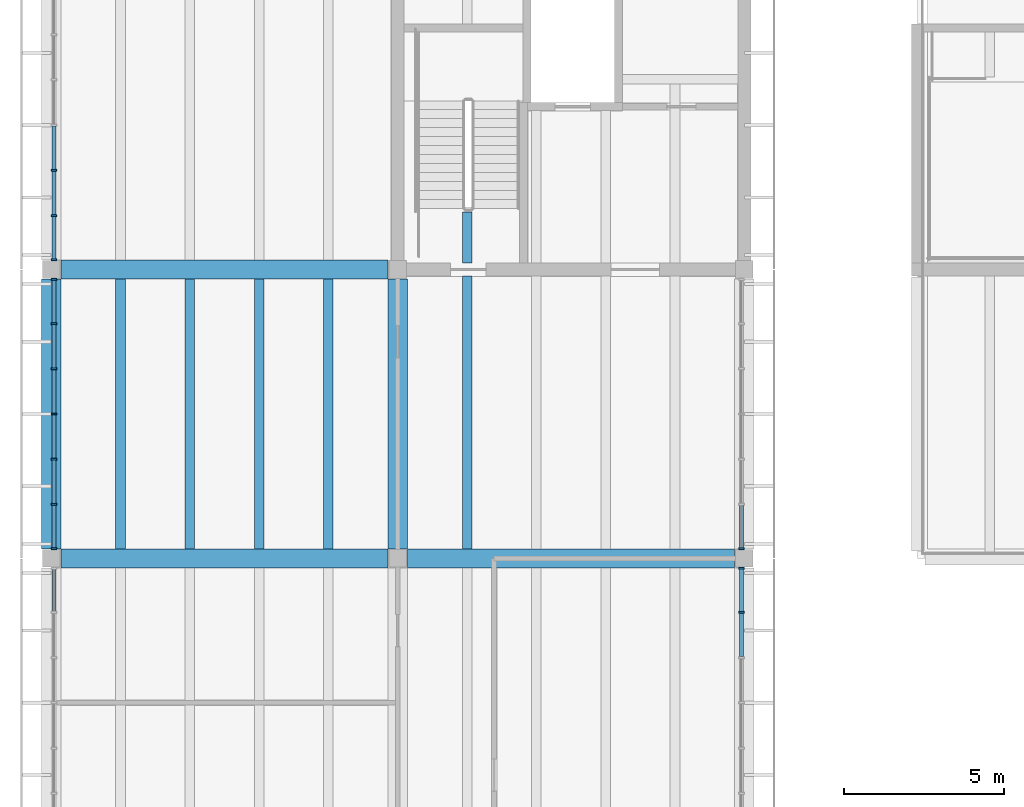
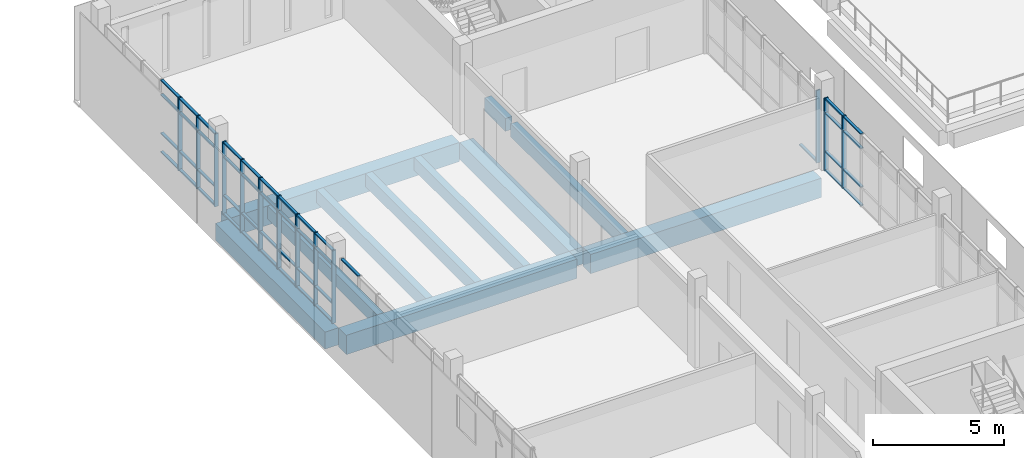
# One storey, part 19 of 74: 59 members, 11 beams, 5 elements without a shape of their own.
"""IFC4 building model written with IfcOpenShell, lengths in metres."""

from ifc_helpers import new_model, si_unit, direction, frame, origin, origin_2d, place, context, subcontext, project, spatial, rectangle, extrude, material, material_profile, profile_set, type_object, element, aggregate, save


model = new_model("IFC4")

# Units and contexts
model_context = context("Model", 3, precision=1e-05, world=origin(), true_north=direction((0.0, 1.0)))
body_context = subcontext(model_context, "Body", "Model", "MODEL_VIEW")
ifc_project = project(units=[si_unit("LENGTHUNIT", "METRE"), si_unit("AREAUNIT", "SQUARE_METRE"), si_unit("VOLUMEUNIT", "CUBIC_METRE"), si_unit("PLANEANGLEUNIT", "RADIAN"), si_unit("MASSUNIT", "GRAM", prefix="KILO")], contexts=[model_context])

# Site, building, storey
site_placement = place(None, origin())
site = spatial("IfcSite", under=ifc_project, at=site_placement, CompositionType="ELEMENT")
building_placement = place(site_placement, origin())
building = spatial("IfcBuilding", under=site, at=building_placement, Name="Merrow Basin Faculty of Sciences", CompositionType="ELEMENT")
storey_placement = place(building_placement, frame((0.0, 0.0, 13.5)))
storey = spatial("IfcBuildingStorey", under=building, at=storey_placement, Name="L03", CompositionType="ELEMENT", Elevation=13.5)

# Curtain wall, members
ifc_material_1 = material(Name="Aluminium alloy 6063", Category="aluminium")
curtain_wall_type = type_object("IfcCurtainWallType", Name="Bar unitised curtain wall 180", PredefinedType="NOTDEFINED", material=ifc_material_1)
curtain_wall_1_placement = place(storey_placement, origin())
curtain_wall_1 = element("IfcCurtainWall", 1, at=curtain_wall_1_placement, inside=storey, type_object=curtain_wall_type, Name="West curtain wall L03 6", PredefinedType="NOTDEFINED")
ifc_material_2 = material(Name="Aluminium alloy 6063", Category="aluminium")
ifc_material_profile_1 = material_profile(ifc_material_2, rectangle(XDim=0.179931640625, YDim=0.06005859375, at=origin_2d()))
ifc_profile_set_1 = profile_set([ifc_material_profile_1], Name="Aluminium alloy 6063")
member_type_1 = type_object("IfcMemberType", Name="Aluminium mullion 60x180", PredefinedType="MULLION", material=ifc_profile_set_1)
member_1_placement = place(storey_placement, frame((0.090087890625, 115.304931640625, 0.0), z_axis=(0.0, 0.0, 1.0), x_axis=(-1.0, 0.0, 0.0)))
member_1 = element("IfcMember", 2, at=member_1_placement, type_object=member_type_1, Name="CW1 mullion 1", PredefinedType="MULLION", context=body_context, shape_type="SweptSolid", body=[
    extrude(rectangle(XDim=0.179931640625, YDim=0.06005859375, at=origin_2d()), origin(), (0.0, 0.0, 1.0), 3.39990234375),
])
member_2_placement = place(storey_placement, frame((0.090087890625, 116.683349609375, 0.0), z_axis=(0.0, 0.0, 1.0), x_axis=(-1.0, 0.0, 0.0)))
member_2 = element("IfcMember", 3, at=member_2_placement, type_object=member_type_1, Name="CW1 mullion 2", PredefinedType="MULLION", context=body_context, shape_type="SweptSolid", body=[
    extrude(rectangle(XDim=0.179931640625, YDim=0.06005859375, at=origin_2d()), origin(), (0.0, 0.0, 1.0), 3.39990234375),
])
member_3_placement = place(storey_placement, frame((0.090087890625, 118.091552734375, 0.0), z_axis=(0.0, 0.0, 1.0), x_axis=(-1.0, 0.0, 0.0)))
member_3 = element("IfcMember", 4, at=member_3_placement, type_object=member_type_1, Name="CW1 mullion 3", PredefinedType="MULLION", context=body_context, shape_type="SweptSolid", body=[
    extrude(rectangle(XDim=0.179931640625, YDim=0.06005859375, at=origin_2d()), origin(), (0.0, 0.0, 1.0), 3.39990234375),
])
member_4_placement = place(storey_placement, frame((0.090087890625, 119.5, 0.0), z_axis=(0.0, 0.0, 1.0), x_axis=(-1.0, 0.0, 0.0)))
member_4 = element("IfcMember", 5, at=member_4_placement, type_object=member_type_1, Name="CW1 mullion 4", PredefinedType="MULLION", context=body_context, shape_type="SweptSolid", body=[
    extrude(rectangle(XDim=0.179931640625, YDim=0.06005859375, at=origin_2d()), origin(), (0.0, 0.0, 1.0), 3.39990234375),
])
member_5_placement = place(storey_placement, frame((0.090087890625, 120.908447265625, 0.0), z_axis=(0.0, 0.0, 1.0), x_axis=(-1.0, 0.0, 0.0)))
member_5 = element("IfcMember", 6, at=member_5_placement, type_object=member_type_1, Name="CW1 mullion 5", PredefinedType="MULLION", context=body_context, shape_type="SweptSolid", body=[
    extrude(rectangle(XDim=0.179931640625, YDim=0.06005859375, at=origin_2d()), origin(), (0.0, 0.0, 1.0), 3.39990234375),
])
member_6_placement = place(storey_placement, frame((0.090087890625, 122.316650390625, 0.0), z_axis=(0.0, 0.0, 1.0), x_axis=(-1.0, 0.0, 0.0)))
member_6 = element("IfcMember", 7, at=member_6_placement, type_object=member_type_1, Name="CW1 mullion 6", PredefinedType="MULLION", context=body_context, shape_type="SweptSolid", body=[
    extrude(rectangle(XDim=0.179931640625, YDim=0.06005859375, at=origin_2d()), origin(), (0.0, 0.0, 1.0), 3.39990234375),
])
member_7_placement = place(storey_placement, frame((0.090087890625, 123.695068359375, 0.0), z_axis=(0.0, 0.0, 1.0), x_axis=(-1.0, 0.0, 0.0)))
member_7 = element("IfcMember", 8, at=member_7_placement, type_object=member_type_1, Name="CW1 mullion 7", PredefinedType="MULLION", context=body_context, shape_type="SweptSolid", body=[
    extrude(rectangle(XDim=0.179931640625, YDim=0.06005859375, at=origin_2d()), origin(), (0.0, 0.0, 1.0), 3.39990234375),
])

curtain_wall_2_placement = place(storey_placement, origin())
curtain_wall_2 = element("IfcCurtainWall", 9, at=curtain_wall_2_placement, inside=storey, type_object=curtain_wall_type, Name="West curtain wall L03 7", PredefinedType="NOTDEFINED")
member_8_placement = place(storey_placement, frame((0.090087890625, 124.304931640625, 0.0), z_axis=(0.0, 0.0, 1.0), x_axis=(-1.0, 0.0, 0.0)))
member_8 = element("IfcMember", 10, at=member_8_placement, type_object=member_type_1, Name="CW1 mullion 1", PredefinedType="MULLION", context=body_context, shape_type="SweptSolid", body=[
    extrude(rectangle(XDim=0.179931640625, YDim=0.06005859375, at=origin_2d()), origin(), (0.0, 0.0, 1.0), 3.39990234375),
])
member_9_placement = place(storey_placement, frame((0.090087890625, 125.683349609375, 0.0), z_axis=(0.0, 0.0, 1.0), x_axis=(-1.0, 0.0, 0.0)))
member_9 = element("IfcMember", 11, at=member_9_placement, type_object=member_type_1, Name="CW1 mullion 2", PredefinedType="MULLION", context=body_context, shape_type="SweptSolid", body=[
    extrude(rectangle(XDim=0.179931640625, YDim=0.06005859375, at=origin_2d()), origin(), (0.0, 0.0, 1.0), 3.39990234375),
])
member_10_placement = place(storey_placement, frame((0.090087890625, 127.091552734375, 0.0), z_axis=(0.0, 0.0, 1.0), x_axis=(-1.0, 0.0, 0.0)))
member_10 = element("IfcMember", 12, at=member_10_placement, type_object=member_type_1, Name="CW1 mullion 3", PredefinedType="MULLION", context=body_context, shape_type="SweptSolid", body=[
    extrude(rectangle(XDim=0.179931640625, YDim=0.06005859375, at=origin_2d()), origin(), (0.0, 0.0, 1.0), 3.39990234375),
])

curtain_wall_3_placement = place(storey_placement, origin())
curtain_wall_3 = element("IfcCurtainWall", 13, at=curtain_wall_3_placement, inside=storey, type_object=curtain_wall_type, Name="East curtain wall L03 5", PredefinedType="NOTDEFINED")
member_11_placement = place(storey_placement, frame((21.510009765625, 113.316650390625, 0.0), z_axis=(0.0, 0.0, 1.0), x_axis=(-1.0, 0.0, 0.0)))
member_11 = element("IfcMember", 14, at=member_11_placement, type_object=member_type_1, Name="CW1 mullion 6", PredefinedType="MULLION", context=body_context, shape_type="SweptSolid", body=[
    extrude(rectangle(XDim=0.179931640625, YDim=0.06005859375, at=origin_2d()), origin(), (0.0, 0.0, 1.0), 3.39990234375),
])
member_12_placement = place(storey_placement, frame((21.510009765625, 114.695068359375, 0.0), z_axis=(0.0, 0.0, 1.0), x_axis=(-1.0, 0.0, 0.0)))
member_12 = element("IfcMember", 15, at=member_12_placement, type_object=member_type_1, Name="CW1 mullion 7", PredefinedType="MULLION", context=body_context, shape_type="SweptSolid", body=[
    extrude(rectangle(XDim=0.179931640625, YDim=0.06005859375, at=origin_2d()), origin(), (0.0, 0.0, 1.0), 3.39990234375),
])

# Curtain wall, member
curtain_wall_4_placement = place(storey_placement, origin())
curtain_wall_4 = element("IfcCurtainWall", 16, at=curtain_wall_4_placement, inside=storey, type_object=curtain_wall_type, Name="East curtain wall L03 6", PredefinedType="NOTDEFINED")
member_13_placement = place(storey_placement, frame((21.510009765625, 115.304931640625, 0.0), z_axis=(0.0, 0.0, 1.0), x_axis=(-1.0, 0.0, 0.0)))
member_13 = element("IfcMember", 17, at=member_13_placement, type_object=member_type_1, Name="CW1 mullion 1", PredefinedType="MULLION", context=body_context, shape_type="SweptSolid", body=[
    extrude(rectangle(XDim=0.179931640625, YDim=0.06005859375, at=origin_2d()), origin(), (0.0, 0.0, 1.0), 3.39990234375),
])

curtain_wall_5_placement = place(storey_placement, origin())
curtain_wall_5 = element("IfcCurtainWall", 18, at=curtain_wall_5_placement, inside=storey, type_object=curtain_wall_type, Name="West curtain wall L03 5", PredefinedType="NOTDEFINED")
ifc_material_3 = material(Name="Aluminium alloy 6063", Category="aluminium")
ifc_material_profile_2 = material_profile(ifc_material_3, rectangle(XDim=0.1201171875, YDim=0.06005859375, at=origin_2d()))
ifc_profile_set_2 = profile_set([ifc_material_profile_2], Name="Aluminium alloy 6063")
member_type_2 = type_object("IfcMemberType", Name="Aluminium transom 60x120", PredefinedType="USERDEFINED", material=ifc_profile_set_2)
member_14_placement = place(storey_placement, frame((0.090087890625, 113.3466796875, 3.3701171875), z_axis=(0.0, 1.0, 0.0), x_axis=(-1.0, 0.0, 0.0)))
member_14 = element("IfcMember", 19, at=member_14_placement, type_object=member_type_2, Name="CW1 transom 6.4", ObjectType="TRANSOM", PredefinedType="USERDEFINED", context=body_context, shape_type="SweptSolid", body=[
    extrude(rectangle(XDim=0.1201171875, YDim=0.06005859375, at=origin_2d()), origin(), (0.0, 0.0, 1.0), 1.318359375),
])
aggregate(curtain_wall_5, [member_14])

# Member
member_15_placement = place(storey_placement, frame((0.090087890625, 115.3349609375, 0.030029296875), z_axis=(0.0, 1.0, 0.0), x_axis=(-1.0, 0.0, 0.0)))
member_15 = element("IfcMember", 20, at=member_15_placement, type_object=member_type_2, Name="CW1 transom 1.1", ObjectType="TRANSOM", PredefinedType="USERDEFINED", context=body_context, shape_type="SweptSolid", body=[
    extrude(rectangle(XDim=0.1201171875, YDim=0.06005859375, at=origin_2d()), origin(), (0.0, 0.0, 1.0), 1.318359375),
])

member_16_placement = place(storey_placement, frame((0.090087890625, 115.3349609375, 0.89990234375), z_axis=(0.0, 1.0, 0.0), x_axis=(-1.0, 0.0, 0.0)))
member_16 = element("IfcMember", 21, at=member_16_placement, type_object=member_type_2, Name="CW1 transom 1.2", ObjectType="TRANSOM", PredefinedType="USERDEFINED", context=body_context, shape_type="SweptSolid", body=[
    extrude(rectangle(XDim=0.1201171875, YDim=0.06005859375, at=origin_2d()), origin(), (0.0, 0.0, 1.0), 1.318359375),
])

member_17_placement = place(storey_placement, frame((0.090087890625, 115.3349609375, 2.699951171875), z_axis=(0.0, 1.0, 0.0), x_axis=(-1.0, 0.0, 0.0)))
member_17 = element("IfcMember", 22, at=member_17_placement, type_object=member_type_2, Name="CW1 transom 1.3", ObjectType="TRANSOM", PredefinedType="USERDEFINED", context=body_context, shape_type="SweptSolid", body=[
    extrude(rectangle(XDim=0.1201171875, YDim=0.06005859375, at=origin_2d()), origin(), (0.0, 0.0, 1.0), 1.318359375),
])

member_18_placement = place(storey_placement, frame((0.090087890625, 115.3349609375, 3.3701171875), z_axis=(0.0, 1.0, 0.0), x_axis=(-1.0, 0.0, 0.0)))
member_18 = element("IfcMember", 23, at=member_18_placement, type_object=member_type_2, Name="CW1 transom 1.4", ObjectType="TRANSOM", PredefinedType="USERDEFINED", context=body_context, shape_type="SweptSolid", body=[
    extrude(rectangle(XDim=0.1201171875, YDim=0.06005859375, at=origin_2d()), origin(), (0.0, 0.0, 1.0), 1.318359375),
])

member_19_placement = place(storey_placement, frame((0.090087890625, 116.71337890625, 0.030029296875), z_axis=(0.0, 1.0, 0.0), x_axis=(-1.0, 0.0, 0.0)))
member_19 = element("IfcMember", 24, at=member_19_placement, type_object=member_type_2, Name="CW1 transom 2.1", ObjectType="TRANSOM", PredefinedType="USERDEFINED", context=body_context, shape_type="SweptSolid", body=[
    extrude(rectangle(XDim=0.1201171875, YDim=0.06005859375, at=origin_2d()), origin(), (0.0, 0.0, 1.0), 1.348388671875),
])

member_20_placement = place(storey_placement, frame((0.090087890625, 116.71337890625, 0.89990234375), z_axis=(0.0, 1.0, 0.0), x_axis=(-1.0, 0.0, 0.0)))
member_20 = element("IfcMember", 25, at=member_20_placement, type_object=member_type_2, Name="CW1 transom 2.2", ObjectType="TRANSOM", PredefinedType="USERDEFINED", context=body_context, shape_type="SweptSolid", body=[
    extrude(rectangle(XDim=0.1201171875, YDim=0.06005859375, at=origin_2d()), origin(), (0.0, 0.0, 1.0), 1.348388671875),
])

member_21_placement = place(storey_placement, frame((0.090087890625, 116.71337890625, 2.699951171875), z_axis=(0.0, 1.0, 0.0), x_axis=(-1.0, 0.0, 0.0)))
member_21 = element("IfcMember", 26, at=member_21_placement, type_object=member_type_2, Name="CW1 transom 2.3", ObjectType="TRANSOM", PredefinedType="USERDEFINED", context=body_context, shape_type="SweptSolid", body=[
    extrude(rectangle(XDim=0.1201171875, YDim=0.06005859375, at=origin_2d()), origin(), (0.0, 0.0, 1.0), 1.348388671875),
])

member_22_placement = place(storey_placement, frame((0.090087890625, 116.71337890625, 3.3701171875), z_axis=(0.0, 1.0, 0.0), x_axis=(-1.0, 0.0, 0.0)))
member_22 = element("IfcMember", 27, at=member_22_placement, type_object=member_type_2, Name="CW1 transom 2.4", ObjectType="TRANSOM", PredefinedType="USERDEFINED", context=body_context, shape_type="SweptSolid", body=[
    extrude(rectangle(XDim=0.1201171875, YDim=0.06005859375, at=origin_2d()), origin(), (0.0, 0.0, 1.0), 1.348388671875),
])

member_23_placement = place(storey_placement, frame((0.090087890625, 118.12158203125, 0.030029296875), z_axis=(0.0, 1.0, 0.0), x_axis=(-1.0, 0.0, 0.0)))
member_23 = element("IfcMember", 28, at=member_23_placement, type_object=member_type_2, Name="CW1 transom 3.1", ObjectType="TRANSOM", PredefinedType="USERDEFINED", context=body_context, shape_type="SweptSolid", body=[
    extrude(rectangle(XDim=0.1201171875, YDim=0.06005859375, at=origin_2d()), origin(), (0.0, 0.0, 1.0), 1.348388671875),
])

member_24_placement = place(storey_placement, frame((0.090087890625, 118.12158203125, 0.89990234375), z_axis=(0.0, 1.0, 0.0), x_axis=(-1.0, 0.0, 0.0)))
member_24 = element("IfcMember", 29, at=member_24_placement, type_object=member_type_2, Name="CW1 transom 3.2", ObjectType="TRANSOM", PredefinedType="USERDEFINED", context=body_context, shape_type="SweptSolid", body=[
    extrude(rectangle(XDim=0.1201171875, YDim=0.06005859375, at=origin_2d()), origin(), (0.0, 0.0, 1.0), 1.348388671875),
])

member_25_placement = place(storey_placement, frame((0.090087890625, 118.12158203125, 2.699951171875), z_axis=(0.0, 1.0, 0.0), x_axis=(-1.0, 0.0, 0.0)))
member_25 = element("IfcMember", 30, at=member_25_placement, type_object=member_type_2, Name="CW1 transom 3.3", ObjectType="TRANSOM", PredefinedType="USERDEFINED", context=body_context, shape_type="SweptSolid", body=[
    extrude(rectangle(XDim=0.1201171875, YDim=0.06005859375, at=origin_2d()), origin(), (0.0, 0.0, 1.0), 1.348388671875),
])

member_26_placement = place(storey_placement, frame((0.090087890625, 118.12158203125, 3.3701171875), z_axis=(0.0, 1.0, 0.0), x_axis=(-1.0, 0.0, 0.0)))
member_26 = element("IfcMember", 31, at=member_26_placement, type_object=member_type_2, Name="CW1 transom 3.4", ObjectType="TRANSOM", PredefinedType="USERDEFINED", context=body_context, shape_type="SweptSolid", body=[
    extrude(rectangle(XDim=0.1201171875, YDim=0.06005859375, at=origin_2d()), origin(), (0.0, 0.0, 1.0), 1.348388671875),
])

member_27_placement = place(storey_placement, frame((0.090087890625, 119.530029296875, 0.030029296875), z_axis=(0.0, 1.0, 0.0), x_axis=(-1.0, 0.0, 0.0)))
member_27 = element("IfcMember", 32, at=member_27_placement, type_object=member_type_2, Name="CW1 transom 4.1", ObjectType="TRANSOM", PredefinedType="USERDEFINED", context=body_context, shape_type="SweptSolid", body=[
    extrude(rectangle(XDim=0.1201171875, YDim=0.06005859375, at=origin_2d()), origin(), (0.0, 0.0, 1.0), 1.348388671875),
])

member_28_placement = place(storey_placement, frame((0.090087890625, 119.530029296875, 0.89990234375), z_axis=(0.0, 1.0, 0.0), x_axis=(-1.0, 0.0, 0.0)))
member_28 = element("IfcMember", 33, at=member_28_placement, type_object=member_type_2, Name="CW1 transom 4.2", ObjectType="TRANSOM", PredefinedType="USERDEFINED", context=body_context, shape_type="SweptSolid", body=[
    extrude(rectangle(XDim=0.1201171875, YDim=0.06005859375, at=origin_2d()), origin(), (0.0, 0.0, 1.0), 1.348388671875),
])

member_29_placement = place(storey_placement, frame((0.090087890625, 119.530029296875, 2.699951171875), z_axis=(0.0, 1.0, 0.0), x_axis=(-1.0, 0.0, 0.0)))
member_29 = element("IfcMember", 34, at=member_29_placement, type_object=member_type_2, Name="CW1 transom 4.3", ObjectType="TRANSOM", PredefinedType="USERDEFINED", context=body_context, shape_type="SweptSolid", body=[
    extrude(rectangle(XDim=0.1201171875, YDim=0.06005859375, at=origin_2d()), origin(), (0.0, 0.0, 1.0), 1.348388671875),
])

member_30_placement = place(storey_placement, frame((0.090087890625, 119.530029296875, 3.3701171875), z_axis=(0.0, 1.0, 0.0), x_axis=(-1.0, 0.0, 0.0)))
member_30 = element("IfcMember", 35, at=member_30_placement, type_object=member_type_2, Name="CW1 transom 4.4", ObjectType="TRANSOM", PredefinedType="USERDEFINED", context=body_context, shape_type="SweptSolid", body=[
    extrude(rectangle(XDim=0.1201171875, YDim=0.06005859375, at=origin_2d()), origin(), (0.0, 0.0, 1.0), 1.348388671875),
])

member_31_placement = place(storey_placement, frame((0.090087890625, 120.938232421875, 0.030029296875), z_axis=(0.0, 1.0, 0.0), x_axis=(-1.0, 0.0, 0.0)))
member_31 = element("IfcMember", 36, at=member_31_placement, type_object=member_type_2, Name="CW1 transom 5.1", ObjectType="TRANSOM", PredefinedType="USERDEFINED", context=body_context, shape_type="SweptSolid", body=[
    extrude(rectangle(XDim=0.1201171875, YDim=0.06005859375, at=origin_2d()), origin(), (0.0, 0.0, 1.0), 1.348388671875),
])

member_32_placement = place(storey_placement, frame((0.090087890625, 120.938232421875, 0.89990234375), z_axis=(0.0, 1.0, 0.0), x_axis=(-1.0, 0.0, 0.0)))
member_32 = element("IfcMember", 37, at=member_32_placement, type_object=member_type_2, Name="CW1 transom 5.2", ObjectType="TRANSOM", PredefinedType="USERDEFINED", context=body_context, shape_type="SweptSolid", body=[
    extrude(rectangle(XDim=0.1201171875, YDim=0.06005859375, at=origin_2d()), origin(), (0.0, 0.0, 1.0), 1.348388671875),
])

member_33_placement = place(storey_placement, frame((0.090087890625, 120.938232421875, 2.699951171875), z_axis=(0.0, 1.0, 0.0), x_axis=(-1.0, 0.0, 0.0)))
member_33 = element("IfcMember", 38, at=member_33_placement, type_object=member_type_2, Name="CW1 transom 5.3", ObjectType="TRANSOM", PredefinedType="USERDEFINED", context=body_context, shape_type="SweptSolid", body=[
    extrude(rectangle(XDim=0.1201171875, YDim=0.06005859375, at=origin_2d()), origin(), (0.0, 0.0, 1.0), 1.348388671875),
])

member_34_placement = place(storey_placement, frame((0.090087890625, 120.938232421875, 3.3701171875), z_axis=(0.0, 1.0, 0.0), x_axis=(-1.0, 0.0, 0.0)))
member_34 = element("IfcMember", 39, at=member_34_placement, type_object=member_type_2, Name="CW1 transom 5.4", ObjectType="TRANSOM", PredefinedType="USERDEFINED", context=body_context, shape_type="SweptSolid", body=[
    extrude(rectangle(XDim=0.1201171875, YDim=0.06005859375, at=origin_2d()), origin(), (0.0, 0.0, 1.0), 1.348388671875),
])

member_35_placement = place(storey_placement, frame((0.090087890625, 122.3466796875, 0.030029296875), z_axis=(0.0, 1.0, 0.0), x_axis=(-1.0, 0.0, 0.0)))
member_35 = element("IfcMember", 40, at=member_35_placement, type_object=member_type_2, Name="CW1 transom 6.1", ObjectType="TRANSOM", PredefinedType="USERDEFINED", context=body_context, shape_type="SweptSolid", body=[
    extrude(rectangle(XDim=0.1201171875, YDim=0.06005859375, at=origin_2d()), origin(), (0.0, 0.0, 1.0), 1.318359375),
])

member_36_placement = place(storey_placement, frame((0.090087890625, 122.3466796875, 0.89990234375), z_axis=(0.0, 1.0, 0.0), x_axis=(-1.0, 0.0, 0.0)))
member_36 = element("IfcMember", 41, at=member_36_placement, type_object=member_type_2, Name="CW1 transom 6.2", ObjectType="TRANSOM", PredefinedType="USERDEFINED", context=body_context, shape_type="SweptSolid", body=[
    extrude(rectangle(XDim=0.1201171875, YDim=0.06005859375, at=origin_2d()), origin(), (0.0, 0.0, 1.0), 1.318359375),
])

member_37_placement = place(storey_placement, frame((0.090087890625, 122.3466796875, 2.699951171875), z_axis=(0.0, 1.0, 0.0), x_axis=(-1.0, 0.0, 0.0)))
member_37 = element("IfcMember", 42, at=member_37_placement, type_object=member_type_2, Name="CW1 transom 6.3", ObjectType="TRANSOM", PredefinedType="USERDEFINED", context=body_context, shape_type="SweptSolid", body=[
    extrude(rectangle(XDim=0.1201171875, YDim=0.06005859375, at=origin_2d()), origin(), (0.0, 0.0, 1.0), 1.318359375),
])

member_38_placement = place(storey_placement, frame((0.090087890625, 122.3466796875, 3.3701171875), z_axis=(0.0, 1.0, 0.0), x_axis=(-1.0, 0.0, 0.0)))
member_38 = element("IfcMember", 43, at=member_38_placement, type_object=member_type_2, Name="CW1 transom 6.4", ObjectType="TRANSOM", PredefinedType="USERDEFINED", context=body_context, shape_type="SweptSolid", body=[
    extrude(rectangle(XDim=0.1201171875, YDim=0.06005859375, at=origin_2d()), origin(), (0.0, 0.0, 1.0), 1.318359375),
])

aggregate(curtain_wall_1, [member_1, member_2, member_3, member_4, member_5, member_6, member_7, member_15, member_16, member_17, member_18, member_19, member_20, member_21, member_22, member_23, member_24, member_25, member_26, member_27, member_28, member_29, member_30, member_31, member_32, member_33, member_34, member_35, member_36, member_37, member_38])

member_39_placement = place(storey_placement, frame((0.090087890625, 124.3349609375, 0.030029296875), z_axis=(0.0, 1.0, 0.0), x_axis=(-1.0, 0.0, 0.0)))
member_39 = element("IfcMember", 44, at=member_39_placement, type_object=member_type_2, Name="CW1 transom 1.1", ObjectType="TRANSOM", PredefinedType="USERDEFINED", context=body_context, shape_type="SweptSolid", body=[
    extrude(rectangle(XDim=0.1201171875, YDim=0.06005859375, at=origin_2d()), origin(), (0.0, 0.0, 1.0), 1.318359375),
])

member_40_placement = place(storey_placement, frame((0.090087890625, 124.3349609375, 0.89990234375), z_axis=(0.0, 1.0, 0.0), x_axis=(-1.0, 0.0, 0.0)))
member_40 = element("IfcMember", 45, at=member_40_placement, type_object=member_type_2, Name="CW1 transom 1.2", ObjectType="TRANSOM", PredefinedType="USERDEFINED", context=body_context, shape_type="SweptSolid", body=[
    extrude(rectangle(XDim=0.1201171875, YDim=0.06005859375, at=origin_2d()), origin(), (0.0, 0.0, 1.0), 1.318359375),
])

member_41_placement = place(storey_placement, frame((0.090087890625, 124.3349609375, 2.699951171875), z_axis=(0.0, 1.0, 0.0), x_axis=(-1.0, 0.0, 0.0)))
member_41 = element("IfcMember", 46, at=member_41_placement, type_object=member_type_2, Name="CW1 transom 1.3", ObjectType="TRANSOM", PredefinedType="USERDEFINED", context=body_context, shape_type="SweptSolid", body=[
    extrude(rectangle(XDim=0.1201171875, YDim=0.06005859375, at=origin_2d()), origin(), (0.0, 0.0, 1.0), 1.318359375),
])

member_42_placement = place(storey_placement, frame((0.090087890625, 124.3349609375, 3.3701171875), z_axis=(0.0, 1.0, 0.0), x_axis=(-1.0, 0.0, 0.0)))
member_42 = element("IfcMember", 47, at=member_42_placement, type_object=member_type_2, Name="CW1 transom 1.4", ObjectType="TRANSOM", PredefinedType="USERDEFINED", context=body_context, shape_type="SweptSolid", body=[
    extrude(rectangle(XDim=0.1201171875, YDim=0.06005859375, at=origin_2d()), origin(), (0.0, 0.0, 1.0), 1.318359375),
])

member_43_placement = place(storey_placement, frame((0.090087890625, 125.71337890625, 0.030029296875), z_axis=(0.0, 1.0, 0.0), x_axis=(-1.0, 0.0, 0.0)))
member_43 = element("IfcMember", 48, at=member_43_placement, type_object=member_type_2, Name="CW1 transom 2.1", ObjectType="TRANSOM", PredefinedType="USERDEFINED", context=body_context, shape_type="SweptSolid", body=[
    extrude(rectangle(XDim=0.1201171875, YDim=0.06005859375, at=origin_2d()), origin(), (0.0, 0.0, 1.0), 1.348388671875),
])

member_44_placement = place(storey_placement, frame((0.090087890625, 125.71337890625, 0.89990234375), z_axis=(0.0, 1.0, 0.0), x_axis=(-1.0, 0.0, 0.0)))
member_44 = element("IfcMember", 49, at=member_44_placement, type_object=member_type_2, Name="CW1 transom 2.2", ObjectType="TRANSOM", PredefinedType="USERDEFINED", context=body_context, shape_type="SweptSolid", body=[
    extrude(rectangle(XDim=0.1201171875, YDim=0.06005859375, at=origin_2d()), origin(), (0.0, 0.0, 1.0), 1.348388671875),
])

member_45_placement = place(storey_placement, frame((0.090087890625, 125.71337890625, 2.699951171875), z_axis=(0.0, 1.0, 0.0), x_axis=(-1.0, 0.0, 0.0)))
member_45 = element("IfcMember", 50, at=member_45_placement, type_object=member_type_2, Name="CW1 transom 2.3", ObjectType="TRANSOM", PredefinedType="USERDEFINED", context=body_context, shape_type="SweptSolid", body=[
    extrude(rectangle(XDim=0.1201171875, YDim=0.06005859375, at=origin_2d()), origin(), (0.0, 0.0, 1.0), 1.348388671875),
])

member_46_placement = place(storey_placement, frame((0.090087890625, 125.71337890625, 3.3701171875), z_axis=(0.0, 1.0, 0.0), x_axis=(-1.0, 0.0, 0.0)))
member_46 = element("IfcMember", 51, at=member_46_placement, type_object=member_type_2, Name="CW1 transom 2.4", ObjectType="TRANSOM", PredefinedType="USERDEFINED", context=body_context, shape_type="SweptSolid", body=[
    extrude(rectangle(XDim=0.1201171875, YDim=0.06005859375, at=origin_2d()), origin(), (0.0, 0.0, 1.0), 1.348388671875),
])

member_47_placement = place(storey_placement, frame((0.090087890625, 127.12158203125, 0.030029296875), z_axis=(0.0, 1.0, 0.0), x_axis=(-1.0, 0.0, 0.0)))
member_47 = element("IfcMember", 52, at=member_47_placement, type_object=member_type_2, Name="CW1 transom 3.1", ObjectType="TRANSOM", PredefinedType="USERDEFINED", context=body_context, shape_type="SweptSolid", body=[
    extrude(rectangle(XDim=0.1201171875, YDim=0.06005859375, at=origin_2d()), origin(), (0.0, 0.0, 1.0), 1.348388671875),
])

member_48_placement = place(storey_placement, frame((0.090087890625, 127.12158203125, 0.89990234375), z_axis=(0.0, 1.0, 0.0), x_axis=(-1.0, 0.0, 0.0)))
member_48 = element("IfcMember", 53, at=member_48_placement, type_object=member_type_2, Name="CW1 transom 3.2", ObjectType="TRANSOM", PredefinedType="USERDEFINED", context=body_context, shape_type="SweptSolid", body=[
    extrude(rectangle(XDim=0.1201171875, YDim=0.06005859375, at=origin_2d()), origin(), (0.0, 0.0, 1.0), 1.348388671875),
])

member_49_placement = place(storey_placement, frame((0.090087890625, 127.12158203125, 2.699951171875), z_axis=(0.0, 1.0, 0.0), x_axis=(-1.0, 0.0, 0.0)))
member_49 = element("IfcMember", 54, at=member_49_placement, type_object=member_type_2, Name="CW1 transom 3.3", ObjectType="TRANSOM", PredefinedType="USERDEFINED", context=body_context, shape_type="SweptSolid", body=[
    extrude(rectangle(XDim=0.1201171875, YDim=0.06005859375, at=origin_2d()), origin(), (0.0, 0.0, 1.0), 1.348388671875),
])

member_50_placement = place(storey_placement, frame((0.090087890625, 127.12158203125, 3.3701171875), z_axis=(0.0, 1.0, 0.0), x_axis=(-1.0, 0.0, 0.0)))
member_50 = element("IfcMember", 55, at=member_50_placement, type_object=member_type_2, Name="CW1 transom 3.4", ObjectType="TRANSOM", PredefinedType="USERDEFINED", context=body_context, shape_type="SweptSolid", body=[
    extrude(rectangle(XDim=0.1201171875, YDim=0.06005859375, at=origin_2d()), origin(), (0.0, 0.0, 1.0), 1.348388671875),
])

aggregate(curtain_wall_2, [member_8, member_9, member_10, member_39, member_40, member_41, member_42, member_43, member_44, member_45, member_46, member_47, member_48, member_49, member_50])

member_51_placement = place(storey_placement, frame((21.510009765625, 111.938232421875, 0.030029296875), z_axis=(0.0, 1.0, 0.0), x_axis=(-1.0, 0.0, 0.0)))
member_51 = element("IfcMember", 56, at=member_51_placement, type_object=member_type_2, Name="CW1 transom 5.1", ObjectType="TRANSOM", PredefinedType="USERDEFINED", context=body_context, shape_type="SweptSolid", body=[
    extrude(rectangle(XDim=0.1201171875, YDim=0.06005859375, at=origin_2d()), origin(), (0.0, 0.0, 1.0), 1.348388671875),
])

member_52_placement = place(storey_placement, frame((21.510009765625, 111.938232421875, 0.89990234375), z_axis=(0.0, 1.0, 0.0), x_axis=(-1.0, 0.0, 0.0)))
member_52 = element("IfcMember", 57, at=member_52_placement, type_object=member_type_2, Name="CW1 transom 5.2", ObjectType="TRANSOM", PredefinedType="USERDEFINED", context=body_context, shape_type="SweptSolid", body=[
    extrude(rectangle(XDim=0.1201171875, YDim=0.06005859375, at=origin_2d()), origin(), (0.0, 0.0, 1.0), 1.348388671875),
])

member_53_placement = place(storey_placement, frame((21.510009765625, 111.938232421875, 2.699951171875), z_axis=(0.0, 1.0, 0.0), x_axis=(-1.0, 0.0, 0.0)))
member_53 = element("IfcMember", 58, at=member_53_placement, type_object=member_type_2, Name="CW1 transom 5.3", ObjectType="TRANSOM", PredefinedType="USERDEFINED", context=body_context, shape_type="SweptSolid", body=[
    extrude(rectangle(XDim=0.1201171875, YDim=0.06005859375, at=origin_2d()), origin(), (0.0, 0.0, 1.0), 1.348388671875),
])

member_54_placement = place(storey_placement, frame((21.510009765625, 111.938232421875, 3.3701171875), z_axis=(0.0, 1.0, 0.0), x_axis=(-1.0, 0.0, 0.0)))
member_54 = element("IfcMember", 59, at=member_54_placement, type_object=member_type_2, Name="CW1 transom 5.4", ObjectType="TRANSOM", PredefinedType="USERDEFINED", context=body_context, shape_type="SweptSolid", body=[
    extrude(rectangle(XDim=0.1201171875, YDim=0.06005859375, at=origin_2d()), origin(), (0.0, 0.0, 1.0), 1.348388671875),
])

member_55_placement = place(storey_placement, frame((21.510009765625, 113.3466796875, 0.030029296875), z_axis=(0.0, 1.0, 0.0), x_axis=(-1.0, 0.0, 0.0)))
member_55 = element("IfcMember", 60, at=member_55_placement, type_object=member_type_2, Name="CW1 transom 6.1", ObjectType="TRANSOM", PredefinedType="USERDEFINED", context=body_context, shape_type="SweptSolid", body=[
    extrude(rectangle(XDim=0.1201171875, YDim=0.06005859375, at=origin_2d()), origin(), (0.0, 0.0, 1.0), 1.318359375),
])

member_56_placement = place(storey_placement, frame((21.510009765625, 113.3466796875, 0.89990234375), z_axis=(0.0, 1.0, 0.0), x_axis=(-1.0, 0.0, 0.0)))
member_56 = element("IfcMember", 61, at=member_56_placement, type_object=member_type_2, Name="CW1 transom 6.2", ObjectType="TRANSOM", PredefinedType="USERDEFINED", context=body_context, shape_type="SweptSolid", body=[
    extrude(rectangle(XDim=0.1201171875, YDim=0.06005859375, at=origin_2d()), origin(), (0.0, 0.0, 1.0), 1.318359375),
])

member_57_placement = place(storey_placement, frame((21.510009765625, 113.3466796875, 2.699951171875), z_axis=(0.0, 1.0, 0.0), x_axis=(-1.0, 0.0, 0.0)))
member_57 = element("IfcMember", 62, at=member_57_placement, type_object=member_type_2, Name="CW1 transom 6.3", ObjectType="TRANSOM", PredefinedType="USERDEFINED", context=body_context, shape_type="SweptSolid", body=[
    extrude(rectangle(XDim=0.1201171875, YDim=0.06005859375, at=origin_2d()), origin(), (0.0, 0.0, 1.0), 1.318359375),
])

member_58_placement = place(storey_placement, frame((21.510009765625, 113.3466796875, 3.3701171875), z_axis=(0.0, 1.0, 0.0), x_axis=(-1.0, 0.0, 0.0)))
member_58 = element("IfcMember", 63, at=member_58_placement, type_object=member_type_2, Name="CW1 transom 6.4", ObjectType="TRANSOM", PredefinedType="USERDEFINED", context=body_context, shape_type="SweptSolid", body=[
    extrude(rectangle(XDim=0.1201171875, YDim=0.06005859375, at=origin_2d()), origin(), (0.0, 0.0, 1.0), 1.318359375),
])

aggregate(curtain_wall_3, [member_11, member_12, member_51, member_52, member_53, member_54, member_55, member_56, member_57, member_58])

member_59_placement = place(storey_placement, frame((21.510009765625, 115.3349609375, 0.030029296875), z_axis=(0.0, 1.0, 0.0), x_axis=(-1.0, 0.0, 0.0)))
member_59 = element("IfcMember", 64, at=member_59_placement, type_object=member_type_2, Name="CW1 transom 1.1", ObjectType="TRANSOM", PredefinedType="USERDEFINED", context=body_context, shape_type="SweptSolid", body=[
    extrude(rectangle(XDim=0.1201171875, YDim=0.06005859375, at=origin_2d()), origin(), (0.0, 0.0, 1.0), 1.318359375),
])

aggregate(curtain_wall_4, [member_13, member_59])

# Beams
ifc_material_4 = material(Name="Concrete C40/50", Category="concrete")
ifc_material_profile_3 = material_profile(ifc_material_4, rectangle(XDim=0.60009765625, YDim=0.800048828125, at=origin_2d()))
ifc_profile_set_3 = profile_set([ifc_material_profile_3], Name="Concrete C40/50")
beam_type_1 = type_object("IfcBeamType", Name="Beam RC600x800 C40/50", PredefinedType="BEAM", material=ifc_profile_set_3)
for number, where, z_axis, x_axis, name in (
    (65, (0.0, 115.300048828125, -0.699951171875), (0.0, 1.0, 0.0), (-1.0, 0.0, 0.0), "B2 L03 020"),
    (66, (10.800048828125, 115.300048828125, -0.699951171875), (0.0, 1.0, 0.0), (-1.0, 0.0, 0.0), "B2 L03 027"),
):
    element("IfcBeam", number, at=place(storey_placement, frame(where, z_axis=z_axis, x_axis=x_axis)), inside=storey, type_object=beam_type_1, Name=name, PredefinedType="BEAM", context=body_context, shape_type="SweptSolid", body=[
        extrude(rectangle(XDim=0.60009765625, YDim=0.800048828125, at=origin_2d()), origin(), (0.0, 0.0, 1.0), 8.39990234375),
    ])
ifc_material_5 = material(Name="Concrete C40/50", Category="concrete")
ifc_material_profile_4 = material_profile(ifc_material_5, rectangle(XDim=0.60009765625, YDim=0.89990234375, at=origin_2d()))
ifc_profile_set_4 = profile_set([ifc_material_profile_4], Name="Concrete C40/50")
beam_type_2 = type_object("IfcBeamType", Name="Beam RC600x900 C40/50", PredefinedType="BEAM", material=ifc_profile_set_4)
for number, where, z_axis, x_axis, name in (
    (67, (0.300048828125, 115.0, -0.75), (1.0, 0.0, 0.0), (0.0, 1.0, 0.0), "B1 L03 011"),
    (68, (11.10009765625, 115.0, -0.75), (1.0, 0.0, 0.0), (0.0, 1.0, 0.0), "B1 L03 012"),
    (69, (0.300048828125, 124.0, -0.75), (1.0, 0.0, 0.0), (0.0, 1.0, 0.0), "B1 L03 013"),
):
    element("IfcBeam", number, at=place(storey_placement, frame(where, z_axis=z_axis, x_axis=x_axis)), inside=storey, type_object=beam_type_2, Name=name, PredefinedType="BEAM", context=body_context, shape_type="SweptSolid", body=[
        extrude(rectangle(XDim=0.60009765625, YDim=0.89990234375, at=origin_2d()), origin(), (0.0, 0.0, 1.0), 10.199951171875),
    ])
ifc_material_6 = material(Name="Concrete C40/50", Category="concrete")
ifc_material_profile_5 = material_profile(ifc_material_6, rectangle(XDim=0.300048828125, YDim=0.60009765625, at=origin_2d()))
ifc_profile_set_5 = profile_set([ifc_material_profile_5], Name="Concrete C40/50")
beam_type_3 = type_object("IfcBeamType", Name="Laboratory floor joist RC300x600 C40/50", PredefinedType="BEAM", material=ifc_profile_set_5)
for number, where, z_axis, x_axis, name in (
    (70, (2.159912109375, 115.300048828125, -0.60009765625), (0.0, 1.0, 0.0), (-1.0, 0.0, 0.0), "JL1 L03 059"),
    (71, (4.320068359375, 115.300048828125, -0.60009765625), (0.0, 1.0, 0.0), (-1.0, 0.0, 0.0), "JL1 L03 060"),
    (72, (6.47998046875, 115.300048828125, -0.60009765625), (0.0, 1.0, 0.0), (-1.0, 0.0, 0.0), "JL1 L03 061"),
    (73, (8.639892578125, 115.300048828125, -0.60009765625), (0.0, 1.0, 0.0), (-1.0, 0.0, 0.0), "JL1 L03 062"),
):
    element("IfcBeam", number, at=place(storey_placement, frame(where, z_axis=z_axis, x_axis=x_axis)), inside=storey, type_object=beam_type_3, Name=name, PredefinedType="BEAM", context=body_context, shape_type="SweptSolid", body=[
        extrude(rectangle(XDim=0.300048828125, YDim=0.60009765625, at=origin_2d()), origin(), (0.0, 0.0, 1.0), 8.39990234375),
    ])
beam_1_placement = place(storey_placement, frame((12.9599609375, 115.300048828125, -0.60009765625), z_axis=(0.0, 1.0, 0.0), x_axis=(-1.0, 0.0, 0.0)))
element("IfcBeam", 74, at=beam_1_placement, inside=storey, type_object=beam_type_3, Name="JL1 L03 093", PredefinedType="BEAM", context=body_context, shape_type="SweptSolid", body=[
    extrude(rectangle(XDim=0.300048828125, YDim=0.60009765625, at=origin_2d()), origin(), (0.0, 0.0, 1.0), 8.5),
])
beam_2_placement = place(storey_placement, frame((12.9599609375, 124.199951171875, -0.60009765625), z_axis=(0.0, 1.0, 0.0), x_axis=(-1.0, 0.0, 0.0)))
element("IfcBeam", 75, at=beam_2_placement, inside=storey, type_object=beam_type_3, Name="JL1 L03 097", PredefinedType="BEAM", context=body_context, shape_type="SweptSolid", body=[
    extrude(rectangle(XDim=0.300048828125, YDim=0.60009765625, at=origin_2d()), origin(), (0.0, 0.0, 1.0), 1.60009765625),
])

save(model, "model.ifc")
